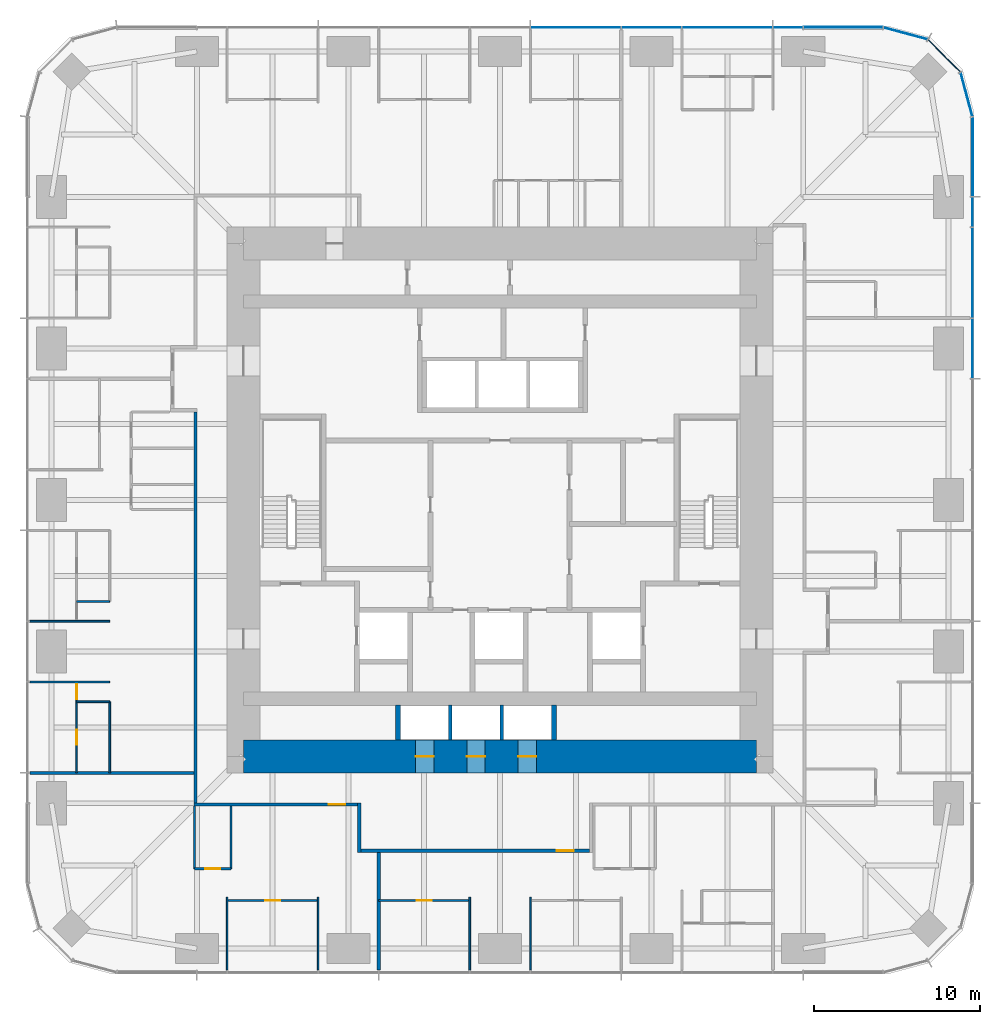
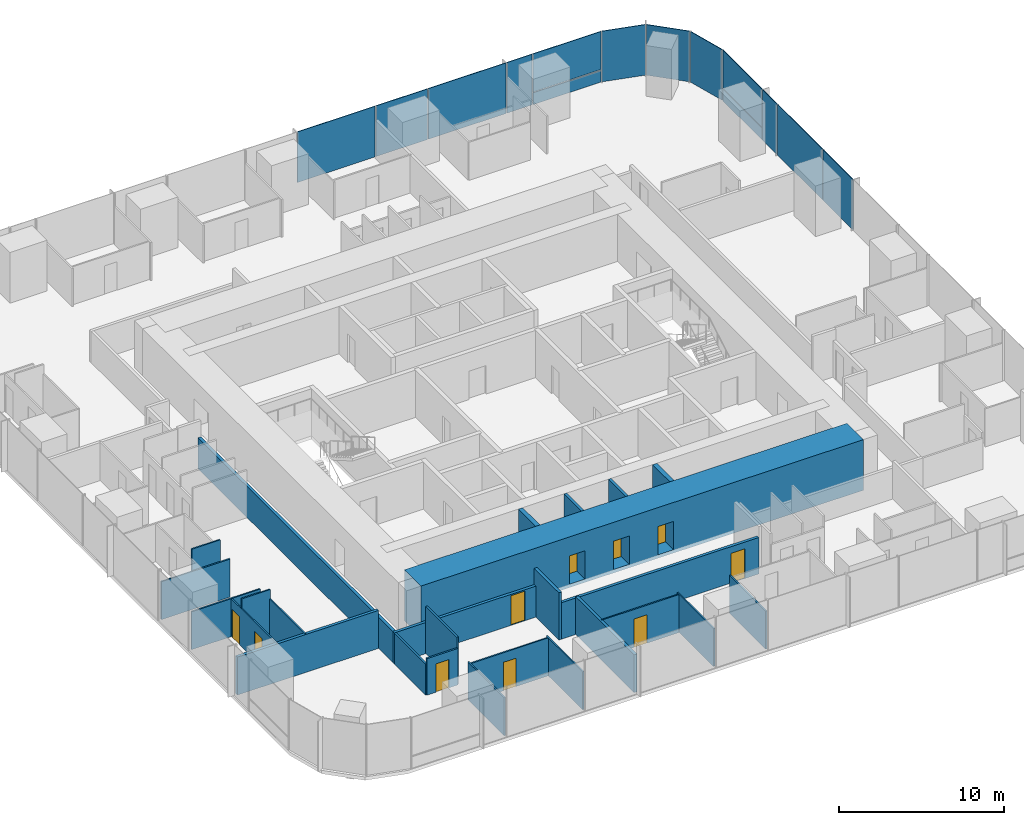
# One storey, part 8 of 13: 26 walls, 14 plates, 10 doors, 10 openings, 3 elements without a shape of their own.
"""IFC4 building model written with IfcOpenShell, lengths in metres."""

import ifcopenshell
import ifcopenshell.guid

model = None  # the IFC model being written
_history = None  # IfcOwnerHistory: only IFC2X3 demands one
_inside = {}  # id of a spatial element -> (the spatial element, [elements in it])
_under = {}  # id of a project, library or spatial element -> (it, [spatial elements below it])
_declared = {}  # id of a project -> (the project, [libraries it declares])
_typed = {}  # id of a type object -> (the type object, [elements of that type])
_made_of = {}  # id of a material, layer set ... -> (it, [elements and type objects made of it])


def new_model(schema):
    """Start an empty IFC model of exactly this schema.

    Asked for "IFC4X3", IfcOpenShell would pick the latest addendum, in which some entities
    have other attributes; the version numbers below select the first issue.
    IFC2X3 requires an IfcOwnerHistory on every rooted entity: one is made here for all.
    """
    global model, _history
    if schema == "IFC4X3":
        model = ifcopenshell.file(schema_version=(4, 3, 0, 0))
    else:
        model = ifcopenshell.file(schema=schema)
    _inside.clear()
    _under.clear()
    _declared.clear()
    _typed.clear()
    _made_of.clear()
    _history = None
    if model.schema == "IFC2X3":
        org = make("IfcOrganization", Name="unknown")
        user = make(
            "IfcPersonAndOrganization",
            ThePerson=make("IfcPerson", FamilyName="unknown"),
            TheOrganization=org,
        )
        app = make(
            "IfcApplication",
            ApplicationDeveloper=org,
            Version="unknown",
            ApplicationFullName="unknown",
            ApplicationIdentifier="unknown",
        )
        _history = make(
            "IfcOwnerHistory",
            OwningUser=user,
            OwningApplication=app,
            ChangeAction="ADDED",
            CreationDate=0,
        )
    return model


def make(cls, **values):
    """One entity of the class cls with the attributes given. An attribute that is None is left unset."""
    return model.create_entity(
        cls, **{name: value for name, value in values.items() if value is not None}
    )


def rooted(cls, **values):
    """An entity with a GlobalId (a new one), such as an element, a storey or a relation."""
    return make(cls, GlobalId=ifcopenshell.guid.new(), OwnerHistory=_history, **values)


def si_unit(unit_type, name, prefix=None):
    """IfcSIUnit, for example si_unit("LENGTHUNIT", "METRE", prefix="MILLI")."""
    return make("IfcSIUnit", UnitType=unit_type, Prefix=prefix, Name=name)


def assignment(units):
    """IfcUnitAssignment: the units of a project."""
    return None if units is None else make("IfcUnitAssignment", Units=units)


def point(xyz):
    """IfcCartesianPoint."""
    return None if xyz is None else make("IfcCartesianPoint", Coordinates=xyz)


def direction(xyz):
    """IfcDirection."""
    return None if xyz is None else make("IfcDirection", DirectionRatios=xyz)


def frame(location, z_axis=None, x_axis=None):
    """IfcAxis2Placement3D, a coordinate frame: its origin and axes. An axis left out is left unset."""
    return make(
        "IfcAxis2Placement3D",
        Location=point(location),
        Axis=direction(z_axis),
        RefDirection=direction(x_axis),
    )


def frame_2d(location, x_axis=None):
    """IfcAxis2Placement2D, a coordinate frame in the plane: its origin and x axis."""
    return make(
        "IfcAxis2Placement2D", Location=point(location), RefDirection=direction(x_axis)
    )


def origin():
    """The frame at (0, 0, 0) with its axes left unset."""
    return frame((0.0, 0.0, 0.0))


def origin_2d():
    """The frame at (0, 0) in the plane with its x axis left unset."""
    return frame_2d((0.0, 0.0))


def place(relative_to, where):
    """IfcLocalPlacement: puts the frame where relative to a parent placement (None: the world)."""
    return make(
        "IfcLocalPlacement", PlacementRelTo=relative_to, RelativePlacement=where
    )


def context(
    kind, dimensions, precision=None, world=None, true_north=None, identifier=None
):
    """IfcGeometricRepresentationContext, for example the 3D "Model" context."""
    return make(
        "IfcGeometricRepresentationContext",
        ContextIdentifier=identifier,
        ContextType=kind,
        CoordinateSpaceDimension=dimensions,
        Precision=precision,
        WorldCoordinateSystem=world,
        TrueNorth=true_north,
    )


def subcontext(parent, identifier, kind, view, scale=None):
    """IfcGeometricRepresentationSubContext, for example "Body" below "Model"."""
    return make(
        "IfcGeometricRepresentationSubContext",
        ContextIdentifier=identifier,
        ContextType=kind,
        ParentContext=parent,
        TargetScale=scale,
        TargetView=view,
    )


def project(units=None, contexts=None):
    """IfcProject with its units and contexts."""
    return rooted(
        "IfcProject",
        Name="project",
        RepresentationContexts=contexts,
        UnitsInContext=assignment(units),
    )


def spatial(cls, under=None, at=None, **own):
    """A site, building, storey or space (cls), placed at a placement, below another one or the project."""
    s = rooted(cls, ObjectPlacement=at, **own)
    if under is not None:
        _under.setdefault(under.id(), (under, []))[1].append(s)
    return s


def profile(cls, at=None, kind="AREA", **sizes):
    """A parametric profile (cls). Its sizes go by their IFC names, for example OverallWidth=200.0."""
    return make(cls, ProfileType=kind, Position=at, **sizes)


def rectangle(**sizes):
    """IfcRectangleProfileDef."""
    return profile("IfcRectangleProfileDef", **sizes)


def extrude(swept, where, along, depth):
    """IfcExtrudedAreaSolid: the profile swept, set in the frame where, extruded along a direction by depth."""
    return make(
        "IfcExtrudedAreaSolid",
        SweptArea=swept,
        Position=where,
        ExtrudedDirection=direction(along),
        Depth=depth,
    )


def shape(context_of_items, identifier, shape_type, items):
    """IfcShapeRepresentation: the items that make up one representation, for example the "Body"."""
    return make(
        "IfcShapeRepresentation",
        ContextOfItems=context_of_items,
        RepresentationIdentifier=identifier,
        RepresentationType=shape_type,
        Items=items,
    )


def material(Name=None, Category=None):
    """IfcMaterial."""
    return make("IfcMaterial", Name=Name, Category=Category)


def layer(
    of_material, thickness, ventilated=None, Name=None, Category=None, Priority=None
):
    """IfcMaterialLayer: one layer of a wall or slab, of a material (None: an air gap)."""
    return make(
        "IfcMaterialLayer",
        Material=of_material,
        LayerThickness=thickness,
        IsVentilated=ventilated,
        Name=Name,
        Category=Category,
        Priority=Priority,
    )


def layer_set(layers, Name=None):
    """IfcMaterialLayerSet."""
    return make("IfcMaterialLayerSet", MaterialLayers=layers, LayerSetName=Name)


def made_of(thing, what):
    """Note that an element or type object is made of a material, layer set ...; save() writes the relation."""
    if what is not None:
        _made_of.setdefault(what.id(), (what, []))[1].append(thing)
    return thing


def type_object(cls, material=None, **own):
    """A type object (cls), such as IfcWallType, which elements share."""
    return made_of(rooted(cls, **own), material)


def element(
    cls,
    number,
    at=None,
    inside=None,
    cuts=None,
    type_object=None,
    material=None,
    context=None,
    identifier="Body",
    shape_type=None,
    held_by="IfcProductDefinitionShape",
    body=None,
    shapes=None,
    **own,
):
    """One element of the class cls, such as IfcWall. Its Tag is "e" and its number.

    at: its placement. inside: the storey or other place that contains it. cuts: it is an
    opening in that element (IfcRelVoidsElement). A single representation is given by context,
    identifier, shape_type and body (its items); several are given by shapes. held_by: the class
    of the entity that holds the representations. save() writes the other relations.
    """
    e = rooted(cls, Tag="e%d" % number, ObjectPlacement=at, **own)
    if body is not None:
        shapes = [shape(context, identifier, shape_type, body)]
    if shapes is not None:
        e.Representation = make(held_by, Representations=shapes)
    if inside is not None:
        _inside.setdefault(inside.id(), (inside, []))[1].append(e)
    if cuts is not None:
        rooted(
            "IfcRelVoidsElement", RelatingBuildingElement=cuts, RelatedOpeningElement=e
        )
    if type_object is not None:
        _typed.setdefault(type_object.id(), (type_object, []))[1].append(e)
    return made_of(e, material)


def fill(opening, filler):
    """IfcRelFillsElement: the door or window that sits in an opening."""
    return rooted(
        "IfcRelFillsElement",
        RelatingOpeningElement=opening,
        RelatedBuildingElement=filler,
    )


def aggregate(whole, parts):
    """IfcRelAggregates: a whole, such as a stair, and the parts it consists of."""
    return rooted("IfcRelAggregates", RelatingObject=whole, RelatedObjects=parts)


def save(model, path):
    """Write the relations noted so far, then the file.

    IfcRelAggregates (storeys below a building ...), IfcRelContainedInSpatialStructure (elements
    in a storey), IfcRelDefinesByType, IfcRelAssociatesMaterial and IfcRelDeclares: one each for
    every whole, place, type object, material and project.
    """
    for whole, parts in _under.values():
        aggregate(whole, parts)
    for where, things in _inside.values():
        rooted(
            "IfcRelContainedInSpatialStructure",
            RelatedElements=things,
            RelatingStructure=where,
        )
    for kind, things in _typed.values():
        rooted("IfcRelDefinesByType", RelatedObjects=things, RelatingType=kind)
    for what, things in _made_of.values():
        rooted("IfcRelAssociatesMaterial", RelatedObjects=things, RelatingMaterial=what)
    for by, libraries in _declared.values():
        rooted("IfcRelDeclares", RelatingContext=by, RelatedDefinitions=libraries)
    model.write(path)


model = new_model("IFC4")

# Units and contexts
model_context = context("Model", 3, precision=1e-05, world=origin(), true_north=direction((0.0, 1.0)))
body_context = subcontext(model_context, "Body", "Model", "MODEL_VIEW")
ifc_project = project(units=[si_unit("LENGTHUNIT", "METRE"), si_unit("AREAUNIT", "SQUARE_METRE"), si_unit("VOLUMEUNIT", "CUBIC_METRE"), si_unit("PLANEANGLEUNIT", "RADIAN"), si_unit("MASSUNIT", "GRAM", prefix="KILO")], contexts=[model_context])

# Site, building, storey
site_placement = place(None, origin())
site = spatial("IfcSite", under=ifc_project, at=site_placement, CompositionType="ELEMENT")
building_placement = place(site_placement, origin())
building = spatial("IfcBuilding", under=site, at=building_placement, Name="Khuree Lantern Residences", CompositionType="ELEMENT")
storey_placement = place(building_placement, frame((0.0, 0.0, 152.25)))
storey = spatial("IfcBuildingStorey", under=building, at=storey_placement, Name="L38", CompositionType="ELEMENT", Elevation=152.25)

# Curtain wall, plates
ifc_material_1 = material(Name="Bronze anodised aluminium", Category="aluminium")
curtain_wall_type_1 = type_object("IfcCurtainWallType", Name="CW-T2 TOWER CORNER CURTAIN WALL", PredefinedType="USERDEFINED", material=ifc_material_1)
curtain_wall_1_placement = place(storey_placement, origin())
curtain_wall_1 = element("IfcCurtainWall", 1, at=curtain_wall_1_placement, inside=storey, type_object=curtain_wall_type_1, Name="L38 NORTH-EAST CORNER CURTAIN WALL", ObjectType="Faceted corner curtain wall", PredefinedType="USERDEFINED")
ifc_material_2 = material(Name="Bronze tinted triple glazing", Category="glass")
ifc_layer_1 = layer(ifc_material_2, 0.048095703125)
ifc_layer_set_1 = layer_set([ifc_layer_1], Name="FACET PANEL P4")
plate_type_1 = type_object("IfcPlateType", Name="FACET PANEL P4", PredefinedType="CURTAIN_PANEL", material=ifc_layer_set_1)
plate_1_placement = place(storey_placement, frame((28.188720703125, 24.498046875, 0.0), z_axis=(0.0, 0.0, 1.0), x_axis=(-0.258819105321, 0.965925810153, 0.0)))
plate_1 = element("IfcPlate", 2, at=plate_1_placement, type_object=plate_type_1, Name="L38 NORTH-EAST CORNER PANEL 15.1", PredefinedType="CURTAIN_PANEL", context=body_context, shape_type="SweptSolid", body=[
    extrude(rectangle(XDim=2.71923828125, YDim=0.048095703125, at=origin_2d()), origin(), (0.0, 0.0, 1.0), 3.75),
])
plate_2_placement = place(storey_placement, frame((26.83837890625, 26.83837890625, 0.0), z_axis=(0.0, 0.0, 1.0), x_axis=(-0.707106781187, 0.707106781187, 0.0)))
plate_2 = element("IfcPlate", 3, at=plate_2_placement, type_object=plate_type_1, Name="L38 NORTH-EAST CORNER PANEL 16.1", PredefinedType="CURTAIN_PANEL", context=body_context, shape_type="SweptSolid", body=[
    extrude(rectangle(XDim=2.715087890625, YDim=0.048095703125, at=origin_2d()), origin(), (0.0, 0.0, 1.0), 3.75),
])
plate_3_placement = place(storey_placement, frame((24.498046875, 28.188720703125, 0.0), z_axis=(0.0, 0.0, 1.0), x_axis=(-0.965925810153, 0.258819105321, 0.0)))
plate_3 = element("IfcPlate", 4, at=plate_3_placement, type_object=plate_type_1, Name="L38 NORTH-EAST CORNER PANEL 17.1", PredefinedType="CURTAIN_PANEL", context=body_context, shape_type="SweptSolid", body=[
    extrude(rectangle(XDim=2.71923828125, YDim=0.048095703125, at=origin_2d()), origin(), (0.0, 0.0, 1.0), 3.75),
])
aggregate(curtain_wall_1, [plate_1, plate_2, plate_3])

# Curtain wall, plate
curtain_wall_type_2 = type_object("IfcCurtainWallType", Name="CW-T1 TOWER FACE CURTAIN WALL", PredefinedType="USERDEFINED", material=ifc_material_1)
curtain_wall_2_placement = place(storey_placement, origin())
curtain_wall_2 = element("IfcCurtainWall", 5, at=curtain_wall_2_placement, inside=storey, type_object=curtain_wall_type_2, Name="L38 EAST FACE CURTAIN WALL", ObjectType="Stick-built curtain wall", PredefinedType="USERDEFINED")
ifc_material_3 = material(Name="Bronze tinted triple glazing with a ceramic-fritted spandrel band", Category="glass")
ifc_layer_2 = layer(ifc_material_3, 0.048095703125)
ifc_layer_set_2 = layer_set([ifc_layer_2], Name="FIXED LIGHT PANEL P11")
plate_type_2 = type_object("IfcPlateType", Name="FIXED LIGHT PANEL P11", PredefinedType="CURTAIN_PANEL", material=ifc_layer_set_2)
plate_4_placement = place(storey_placement, frame((28.550048828125, 13.739990234375, 0.0), z_axis=(0.0, 0.0, 1.0), x_axis=(0.0, 1.0, 0.0)))
plate_4 = element("IfcPlate", 6, at=plate_4_placement, type_object=plate_type_2, Name="L38 EAST FACE PANEL 12.1", PredefinedType="CURTAIN_PANEL", context=body_context, shape_type="SweptSolid", body=[
    extrude(rectangle(XDim=5.430908203125, YDim=0.048095703125, at=origin_2d()), origin(), (0.0, 0.0, 1.0), 3.75),
])

# Curtain wall, plates
curtain_wall_3_placement = place(storey_placement, origin())
curtain_wall_3 = element("IfcCurtainWall", 7, at=curtain_wall_3_placement, inside=storey, type_object=curtain_wall_type_2, Name="L38 NORTH FACE CURTAIN WALL", ObjectType="Stick-built curtain wall", PredefinedType="USERDEFINED")
plate_5_placement = place(storey_placement, frame((13.739990234375, 28.550048828125, 0.0), z_axis=(0.0, 0.0, 1.0), x_axis=(-1.0, 0.0, 0.0)))
plate_5 = element("IfcPlate", 8, at=plate_5_placement, type_object=plate_type_2, Name="L38 NORTH FACE PANEL 20.1", PredefinedType="CURTAIN_PANEL", context=body_context, shape_type="SweptSolid", body=[
    extrude(rectangle(XDim=5.430908203125, YDim=0.048095703125, at=origin_2d()), origin(), (0.0, 0.0, 1.0), 3.75),
])
plate_6_placement = place(storey_placement, frame((4.580078125, 28.550048828125, 0.0), z_axis=(0.0, 0.0, 1.0), x_axis=(-1.0, 0.0, 0.0)))
plate_6 = element("IfcPlate", 9, at=plate_6_placement, type_object=plate_type_2, Name="L38 NORTH FACE PANEL 22.1", PredefinedType="CURTAIN_PANEL", context=body_context, shape_type="SweptSolid", body=[
    extrude(rectangle(XDim=5.430908203125, YDim=0.048095703125, at=origin_2d()), origin(), (0.0, 0.0, 1.0), 3.75),
])

# Plate
ifc_material_4 = material(Name="Bronze tinted triple glazing, two aluminium-framed sashes in one frame", Category="aluminium")
ifc_layer_3 = layer(ifc_material_4, 0.048095703125)
ifc_layer_set_3 = layer_set([ifc_layer_3], Name="SASH PAIR PANEL P12")
plate_type_3 = type_object("IfcPlateType", Name="SASH PAIR PANEL P12", PredefinedType="CURTAIN_PANEL", material=ifc_layer_set_3)
plate_7_placement = place(storey_placement, frame((28.550048828125, 9.159912109375, 0.0), z_axis=(0.0, 0.0, 1.0), x_axis=(0.0, 1.0, 0.0)))
plate_7 = element("IfcPlate", 10, at=plate_7_placement, type_object=plate_type_3, Name="L38 EAST FACE PANEL 11.1", PredefinedType="CURTAIN_PANEL", context=body_context, shape_type="SweptSolid", body=[
    extrude(rectangle(XDim=3.59912109375, YDim=0.048095703125, at=origin_2d()), origin(), (0.0, 0.0, 1.0), 3.75),
])

plate_8_placement = place(storey_placement, frame((9.159912109375, 28.550048828125, 0.0), z_axis=(0.0, 0.0, 1.0), x_axis=(-1.0, 0.0, 0.0)))
plate_8 = element("IfcPlate", 11, at=plate_8_placement, type_object=plate_type_3, Name="L38 NORTH FACE PANEL 21.1", PredefinedType="CURTAIN_PANEL", context=body_context, shape_type="SweptSolid", body=[
    extrude(rectangle(XDim=3.59912109375, YDim=0.048095703125, at=origin_2d()), origin(), (0.0, 0.0, 1.0), 3.75),
])

ifc_material_5 = material(Name="Bronze tinted triple glazing, aluminium-framed sash", Category="aluminium")
ifc_layer_4 = layer(ifc_material_5, 0.048095703125)
ifc_layer_set_4 = layer_set([ifc_layer_4], Name="SASH PANEL P3")
plate_type_4 = type_object("IfcPlateType", Name="SASH PANEL P3", PredefinedType="CURTAIN_PANEL", material=ifc_layer_set_4)
plate_9_placement = place(storey_placement, frame((28.550048828125, 17.404052734375, 0.0), z_axis=(0.0, 0.0, 1.0), x_axis=(0.0, 1.0, 0.0)))
plate_9 = element("IfcPlate", 12, at=plate_9_placement, type_object=plate_type_4, Name="L38 EAST FACE PANEL 13.1", PredefinedType="CURTAIN_PANEL", context=body_context, shape_type="SweptSolid", body=[
    extrude(rectangle(XDim=1.76708984375, YDim=0.048095703125, at=origin_2d()), origin(), (0.0, 0.0, 1.0), 3.75),
])

plate_10_placement = place(storey_placement, frame((17.404052734375, 28.550048828125, 0.0), z_axis=(0.0, 0.0, 1.0), x_axis=(-1.0, 0.0, 0.0)))
plate_10 = element("IfcPlate", 13, at=plate_10_placement, type_object=plate_type_4, Name="L38 NORTH FACE PANEL 19.1", PredefinedType="CURTAIN_PANEL", context=body_context, shape_type="SweptSolid", body=[
    extrude(rectangle(XDim=1.76708984375, YDim=0.048095703125, at=origin_2d()), origin(), (0.0, 0.0, 1.0), 3.75),
])

ifc_material_6 = material(Name="Bronze anodised aluminium insulated spandrel", Category="aluminium")
ifc_layer_5 = layer(ifc_material_6, 0.06005859375)
ifc_layer_set_5 = layer_set([ifc_layer_5], Name="SPANDREL PANEL P2")
plate_type_5 = type_object("IfcPlateType", Name="SPANDREL PANEL P2", PredefinedType="CURTAIN_PANEL", material=ifc_layer_set_5)
plate_11_placement = place(storey_placement, frame((28.550048828125, 20.73291015625, 0.0), z_axis=(0.0, 0.0, 1.0), x_axis=(0.0, 1.0, 0.0)))
plate_11 = element("IfcPlate", 14, at=plate_11_placement, type_object=plate_type_5, Name="L38 EAST FACE PANEL 14.1", PredefinedType="CURTAIN_PANEL", context=body_context, shape_type="SweptSolid", body=[
    extrude(rectangle(XDim=4.7607421875, YDim=0.06005859375, at=origin_2d()), origin(), (0.0, 0.0, 1.0), 0.867431640625),
])

plate_12_placement = place(storey_placement, frame((20.73291015625, 28.550048828125, 0.0), z_axis=(0.0, 0.0, 1.0), x_axis=(-1.0, 0.0, 0.0)))
plate_12 = element("IfcPlate", 15, at=plate_12_placement, type_object=plate_type_5, Name="L38 NORTH FACE PANEL 18.1", PredefinedType="CURTAIN_PANEL", context=body_context, shape_type="SweptSolid", body=[
    extrude(rectangle(XDim=4.7607421875, YDim=0.06005859375, at=origin_2d()), origin(), (0.0, 0.0, 1.0), 0.867431640625),
])

ifc_layer_6 = layer(ifc_material_2, 0.048095703125)
ifc_layer_set_6 = layer_set([ifc_layer_6], Name="VISION PANEL P1")
plate_type_6 = type_object("IfcPlateType", Name="VISION PANEL P1", PredefinedType="CURTAIN_PANEL", material=ifc_layer_set_6)
plate_13_placement = place(storey_placement, frame((28.550048828125, 20.7333984375, 0.9326171875), z_axis=(0.0, 0.0, 1.0), x_axis=(0.0, 1.0, 0.0)))
plate_13 = element("IfcPlate", 16, at=plate_13_placement, type_object=plate_type_6, Name="L38 EAST FACE PANEL 14.2", PredefinedType="CURTAIN_PANEL", context=body_context, shape_type="SweptSolid", body=[
    extrude(rectangle(XDim=4.761474609375, YDim=0.048095703125, at=origin_2d()), origin(), (0.0, 0.0, 1.0), 2.8173828125),
])

aggregate(curtain_wall_2, [plate_7, plate_4, plate_9, plate_11, plate_13])

plate_14_placement = place(storey_placement, frame((20.7333984375, 28.550048828125, 0.9326171875), z_axis=(0.0, 0.0, 1.0), x_axis=(-1.0, 0.0, 0.0)))
plate_14 = element("IfcPlate", 17, at=plate_14_placement, type_object=plate_type_6, Name="L38 NORTH FACE PANEL 18.2", PredefinedType="CURTAIN_PANEL", context=body_context, shape_type="SweptSolid", body=[
    extrude(rectangle(XDim=4.761474609375, YDim=0.048095703125, at=origin_2d()), origin(), (0.0, 0.0, 1.0), 2.8173828125),
])

aggregate(curtain_wall_3, [plate_12, plate_14, plate_10, plate_5, plate_8, plate_6])

# Wall, opening, door
ifc_material_7 = material(Name="Moisture-resistant gypsum board on steel studs", Category="steel")
ifc_layer_7 = layer(ifc_material_7, 0.125)
ifc_layer_set_7 = layer_set([ifc_layer_7], Name="BATHROOM WALL BTW125")
wall_type_1 = type_object("IfcWallType", Name="BATHROOM WALL BTW125", PredefinedType="PARTITIONING", material=ifc_layer_set_7)
wall_1_placement = place(storey_placement, frame((-18.449951171875, -22.27978515625, 0.0), z_axis=(0.0, 0.0, 1.0), x_axis=(1.0, 0.0, 0.0)))
wall_1 = element("IfcWall", 18, at=wall_1_placement, inside=storey, type_object=wall_type_1, Name="L38 BATHROOM WALL 05", PredefinedType="PARTITIONING", context=body_context, shape_type="SweptSolid", body=[
    extrude(rectangle(XDim=2.199951171875, YDim=0.125, at=frame_2d((1.10009765625, 0.0))), origin(), (0.0, 0.0, 1.0), 2.699951171875),
])
opening_1_placement = place(wall_1_placement, frame((0.64990234375, 0.0, 0.0)))
opening_1 = element("IfcOpeningElement", 19, at=opening_1_placement, cuts=wall_1, Name="Opening 38-053", PredefinedType="OPENING", context=body_context, shape_type="SweptSolid", body=[
    extrude(rectangle(XDim=0.89990234375, YDim=2.10009765625, at=frame_2d((0.449951171875, 1.050048828125))), frame((0.0, 0.072509765625, 0.0), z_axis=(0.0, -1.0, 0.0), x_axis=(1.0, 0.0, 0.0)), (0.0, 0.0, 1.0), 0.14501953125),
])
ifc_material_8 = material(Name="Timber door leaf in hardwood frame", Category="wood")
door_type_1 = type_object("IfcDoorType", Name="BATHROOM DOOR 900X2100", OperationType="SINGLE_SWING_LEFT", PredefinedType="DOOR", material=ifc_material_8)
door_1_placement = place(opening_1_placement, origin())
door_1 = element("IfcDoor", 20, at=door_1_placement, inside=storey, type_object=door_type_1, Name="Bathroom door 38-053", OperationType="SINGLE_SWING_LEFT", OverallHeight=2.10009765625, OverallWidth=0.89990234375, PredefinedType="DOOR", context=body_context, shape_type="SweptSolid", body=[
    extrude(rectangle(XDim=0.89990234375, YDim=2.10009765625, at=frame_2d((0.449951171875, 1.050048828125))), frame((0.0, 0.02490234375, 0.0), z_axis=(0.0, -1.0, 0.0), x_axis=(1.0, 0.0, 0.0)), (0.0, 0.0, 1.0), 0.050048828125),
])
fill(opening_1, door_1)

# Walls
wall_2_placement = place(storey_placement, frame((-18.449951171875, -18.5, 0.0), z_axis=(0.0, 0.0, 1.0), x_axis=(0.0, -1.0, 0.0)))
element("IfcWall", 21, at=wall_2_placement, inside=storey, type_object=wall_type_1, Name="L38 BATHROOM WALL 05", PredefinedType="PARTITIONING", context=body_context, shape_type="SweptSolid", body=[
    extrude(rectangle(XDim=3.77978515625, YDim=0.125, at=frame_2d((1.889892578125, 0.0))), origin(), (0.0, 0.0, 1.0), 2.300048828125),
])
wall_3_placement = place(storey_placement, frame((-16.25, -18.5, 0.0), z_axis=(0.0, 0.0, 1.0), x_axis=(0.0, -1.0, 0.0)))
element("IfcWall", 22, at=wall_3_placement, inside=storey, type_object=wall_type_1, Name="L38 BATHROOM WALL 05", PredefinedType="PARTITIONING", context=body_context, shape_type="SweptSolid", body=[
    extrude(rectangle(XDim=3.77978515625, YDim=0.125, at=frame_2d((1.889892578125, 0.0))), origin(), (0.0, 0.0, 1.0), 3.5),
])
ifc_material_9 = material(Name="Dense concrete blockwork", Category="masonry")
ifc_layer_8 = layer(ifc_material_9, 0.300048828125)
ifc_layer_set_8 = layer_set([ifc_layer_8], Name="CORE PARTITION WALL CPW300 EI 120")
wall_type_2 = type_object("IfcWallType", Name="CORE PARTITION WALL CPW300 EI 120", PredefinedType="PARTITIONING", material=ifc_layer_set_8)
for number, where, z_axis, x_axis, name in (
    (23, (-6.14990234375, -14.5, 0.0), (0.0, 0.0, 1.0), (0.0, 1.0, 0.0), "L38 CORE WALL PMW"),
    (24, (3.25, -14.5, 0.0), (0.0, 0.0, 1.0), (0.0, 1.0, 0.0), "L38 CORE WALL PME"),
):
    element("IfcWall", number, at=place(storey_placement, frame(where, z_axis=z_axis, x_axis=x_axis)), inside=storey, type_object=wall_type_2, Name=name, PredefinedType="PARTITIONING", context=body_context, shape_type="SweptSolid", body=[
        extrude(rectangle(XDim=2.10009765625, YDim=0.300048828125, at=frame_2d((1.050048828125, 0.0))), origin(), (0.0, 0.0, 1.0), 3.5),
    ])
ifc_material_10 = material(Name="Gypsum board on steel studs", Category="steel")
ifc_layer_9 = layer(ifc_material_10, 0.199951171875)
ifc_layer_set_9 = layer_set([ifc_layer_9], Name="CORRIDOR WALL CRW200 EI 60")
wall_type_3 = type_object("IfcWallType", Name="CORRIDOR WALL CRW200 EI 60", PredefinedType="PARTITIONING", material=ifc_layer_set_9)
wall_4_placement = place(storey_placement, frame((-18.39990234375, 5.327880859375, 0.0), z_axis=(0.0, 0.0, 1.0), x_axis=(0.0, -1.0, 0.0)))
element("IfcWall", 25, at=wall_4_placement, inside=storey, type_object=wall_type_3, Name="L38 CORRIDOR WALL WEST 2", PredefinedType="PARTITIONING", context=body_context, shape_type="SweptSolid", body=[
    extrude(rectangle(XDim=23.6279296875, YDim=0.199951171875, at=frame_2d((11.81396484375, 0.0))), origin(), (0.0, 0.0, 1.0), 2.300048828125),
])
wall_5_placement = place(storey_placement, frame((-8.5, -18.300048828125, 0.0), z_axis=(0.0, 0.0, 1.0), x_axis=(0.0, -1.0, 0.0)))
element("IfcWall", 26, at=wall_5_placement, inside=storey, type_object=wall_type_3, Name="L38 LIFT LOBBY WALL", PredefinedType="PARTITIONING", context=body_context, shape_type="SweptSolid", body=[
    extrude(rectangle(XDim=3.0, YDim=0.199951171875, at=frame_2d((1.5, 0.0))), origin(), (0.0, 0.0, 1.0), 3.5),
])

# Wall, opening, door
wall_6_placement = place(storey_placement, frame((5.39990234375, -21.199951171875, 0.0), z_axis=(0.0, 0.0, 1.0), x_axis=(-1.0, 0.0, 0.0)))
wall_6 = element("IfcWall", 27, at=wall_6_placement, inside=storey, type_object=wall_type_3, Name="L38 LIFT LOBBY WALL", PredefinedType="PARTITIONING", context=body_context, shape_type="SweptSolid", body=[
    extrude(rectangle(XDim=13.7998046875, YDim=0.199951171875, at=frame_2d((6.89990234375, 0.0))), origin(), (0.0, 0.0, 1.0), 2.699951171875),
])
opening_2_placement = place(wall_6_placement, frame((0.9580078125, 0.0, 0.0)))
opening_2 = element("IfcOpeningElement", 28, at=opening_2_placement, cuts=wall_6, Name="Opening 38-061", PredefinedType="OPENING", context=body_context, shape_type="SweptSolid", body=[
    extrude(rectangle(XDim=1.0, YDim=2.199951171875, at=frame_2d((0.5, 1.10009765625))), frame((0.0, 0.10986328125, 0.0), z_axis=(0.0, -1.0, 0.0), x_axis=(1.0, 0.0, 0.0)), (0.0, 0.0, 1.0), 0.219970703125),
])
door_type_2 = type_object("IfcDoorType", Name="APARTMENT ENTRANCE DOOR 1000X2200 EI 30S", OperationType="SINGLE_SWING_LEFT", PredefinedType="DOOR", material=ifc_material_8)
door_2_placement = place(opening_2_placement, origin())
door_2 = element("IfcDoor", 29, at=door_2_placement, inside=storey, type_object=door_type_2, Name="Apartment 06 entrance door 38-061", OperationType="SINGLE_SWING_LEFT", OverallHeight=2.199951171875, OverallWidth=1.0, PredefinedType="DOOR", context=body_context, shape_type="SweptSolid", body=[
    extrude(rectangle(XDim=1.0, YDim=2.199951171875, at=frame_2d((0.5, 1.10009765625))), frame((0.0, 0.02490234375, 0.0), z_axis=(0.0, -1.0, 0.0), x_axis=(1.0, 0.0, 0.0)), (0.0, 0.0, 1.0), 0.050048828125),
])
fill(opening_2, door_2)

wall_7_placement = place(storey_placement, frame((-8.60009765625, -18.39990234375, 0.0), z_axis=(0.0, 0.0, 1.0), x_axis=(-1.0, 0.0, 0.0)))
wall_7 = element("IfcWall", 30, at=wall_7_placement, inside=storey, type_object=wall_type_3, Name="L38 CORRIDOR WALL SOUTH 2", PredefinedType="PARTITIONING", context=body_context, shape_type="SweptSolid", body=[
    extrude(rectangle(XDim=9.89990234375, YDim=0.199951171875, at=frame_2d((4.949951171875, 0.0))), origin(), (0.0, 0.0, 1.0), 2.300048828125),
])
opening_3_placement = place(wall_7_placement, frame((0.75, 0.0, 0.0)))
opening_3 = element("IfcOpeningElement", 31, at=opening_3_placement, cuts=wall_7, Name="Opening 38-054", PredefinedType="OPENING", context=body_context, shape_type="SweptSolid", body=[
    extrude(rectangle(XDim=1.0, YDim=2.199951171875, at=frame_2d((0.5, 1.10009765625))), frame((0.0, 0.10986328125, 0.0), z_axis=(0.0, -1.0, 0.0), x_axis=(1.0, 0.0, 0.0)), (0.0, 0.0, 1.0), 0.219970703125),
])
door_3_placement = place(opening_3_placement, origin())
door_3 = element("IfcDoor", 32, at=door_3_placement, inside=storey, type_object=door_type_2, Name="Apartment 05 entrance door 38-054", OperationType="SINGLE_SWING_LEFT", OverallHeight=2.199951171875, OverallWidth=1.0, PredefinedType="DOOR", context=body_context, shape_type="SweptSolid", body=[
    extrude(rectangle(XDim=1.0, YDim=2.199951171875, at=frame_2d((0.5, 1.10009765625))), frame((0.0, 0.02490234375, 0.0), z_axis=(0.0, -1.0, 0.0), x_axis=(1.0, 0.0, 0.0)), (0.0, 0.0, 1.0), 0.050048828125),
])
fill(opening_3, door_3)

# Wall, openings, doors
ifc_material_11 = material(Name="Concrete C70/85", Category="concrete")
ifc_layer_10 = layer(ifc_material_11, 2.0)
ifc_layer_set_10 = layer_set([ifc_layer_10], Name="CW2000-C70 CORE WALL C70 2000")
wall_type_4 = type_object("IfcWallType", Name="CW2000-C70 CORE WALL C70 2000", PredefinedType="SHEAR", material=ifc_layer_set_10)
wall_8_placement = place(storey_placement, frame((-15.5, -15.5, -0.25), z_axis=(0.0, 0.0, 1.0), x_axis=(1.0, 0.0, 0.0)))
wall_8 = element("IfcWall", 33, at=wall_8_placement, inside=storey, type_object=wall_type_4, Name="Core wall S", PredefinedType="SHEAR", context=body_context, shape_type="SweptSolid", body=[
    extrude(rectangle(XDim=31.0, YDim=2.0, at=frame_2d((15.5, 0.0))), origin(), (0.0, 0.0, 1.0), 3.75),
])
opening_4_placement = place(wall_8_placement, frame((10.39990234375, 0.0, 0.25)))
opening_4 = element("IfcOpeningElement", 34, at=opening_4_placement, cuts=wall_8, Name="Opening 38-009", PredefinedType="OPENING", context=body_context, shape_type="SweptSolid", body=[
    extrude(rectangle(XDim=1.10009765625, YDim=2.10009765625, at=frame_2d((0.550048828125, 1.050048828125))), frame((0.0, 1.010009765625, 0.0), z_axis=(0.0, -1.0, 0.0), x_axis=(1.0, 0.0, 0.0)), (0.0, 0.0, 1.0), 2.02001953125),
])
opening_5_placement = place(wall_8_placement, frame((13.5, 0.0, 0.25)))
opening_5 = element("IfcOpeningElement", 35, at=opening_5_placement, cuts=wall_8, Name="Opening 38-010", PredefinedType="OPENING", context=body_context, shape_type="SweptSolid", body=[
    extrude(rectangle(XDim=1.10009765625, YDim=2.10009765625, at=frame_2d((0.550048828125, 1.050048828125))), frame((0.0, 1.010009765625, 0.0), z_axis=(0.0, -1.0, 0.0), x_axis=(1.0, 0.0, 0.0)), (0.0, 0.0, 1.0), 2.02001953125),
])
opening_6_placement = place(wall_8_placement, frame((16.60009765625, 0.0, 0.25)))
opening_6 = element("IfcOpeningElement", 36, at=opening_6_placement, cuts=wall_8, Name="Opening 38-011", PredefinedType="OPENING", context=body_context, shape_type="SweptSolid", body=[
    extrude(rectangle(XDim=1.10009765625, YDim=2.10009765625, at=frame_2d((0.550048828125, 1.050048828125))), frame((0.0, 1.010009765625, 0.0), z_axis=(0.0, -1.0, 0.0), x_axis=(1.0, 0.0, 0.0)), (0.0, 0.0, 1.0), 2.02001953125),
])
ifc_material_12 = material(Name="Stainless steel lift landing door", Category="steel")
door_type_3 = type_object("IfcDoorType", Name="LIFT LANDING DOOR 1100X2100 E 60", OperationType="DOUBLE_DOOR_SLIDING", PredefinedType="DOOR", material=ifc_material_12)
door_4_placement = place(opening_4_placement, origin())
door_4 = element("IfcDoor", 37, at=door_4_placement, inside=storey, type_object=door_type_3, Name="Landing door PM1 38-009", OperationType="DOUBLE_DOOR_SLIDING", OverallHeight=2.10009765625, OverallWidth=1.10009765625, PredefinedType="DOOR", context=body_context, shape_type="SweptSolid", body=[
    extrude(rectangle(XDim=1.10009765625, YDim=2.10009765625, at=frame_2d((0.550048828125, 1.050048828125))), frame((0.0, 0.02490234375, 0.0), z_axis=(0.0, -1.0, 0.0), x_axis=(1.0, 0.0, 0.0)), (0.0, 0.0, 1.0), 0.050048828125),
])
fill(opening_4, door_4)
door_5_placement = place(opening_5_placement, origin())
door_5 = element("IfcDoor", 38, at=door_5_placement, inside=storey, type_object=door_type_3, Name="Landing door PM2 38-010", OperationType="DOUBLE_DOOR_SLIDING", OverallHeight=2.10009765625, OverallWidth=1.10009765625, PredefinedType="DOOR", context=body_context, shape_type="SweptSolid", body=[
    extrude(rectangle(XDim=1.10009765625, YDim=2.10009765625, at=frame_2d((0.550048828125, 1.050048828125))), frame((0.0, 0.02490234375, 0.0), z_axis=(0.0, -1.0, 0.0), x_axis=(1.0, 0.0, 0.0)), (0.0, 0.0, 1.0), 0.050048828125),
])
fill(opening_5, door_5)
door_6_placement = place(opening_6_placement, origin())
door_6 = element("IfcDoor", 39, at=door_6_placement, inside=storey, type_object=door_type_3, Name="Landing door PM3 38-011", OperationType="DOUBLE_DOOR_SLIDING", OverallHeight=2.10009765625, OverallWidth=1.10009765625, PredefinedType="DOOR", context=body_context, shape_type="SweptSolid", body=[
    extrude(rectangle(XDim=1.10009765625, YDim=2.10009765625, at=frame_2d((0.550048828125, 1.050048828125))), frame((0.0, 0.02490234375, 0.0), z_axis=(0.0, -1.0, 0.0), x_axis=(1.0, 0.0, 0.0)), (0.0, 0.0, 1.0), 0.050048828125),
])
fill(opening_6, door_6)

# Walls
ifc_layer_11 = layer(ifc_material_10, 0.199951171875)
ifc_layer_set_11 = layer_set([ifc_layer_11], Name="DEMISING WALL DMW200 EI 90")
wall_type_5 = type_object("IfcWallType", Name="DEMISING WALL DMW200 EI 90", PredefinedType="PARTITIONING", material=ifc_layer_set_11)
wall_9_placement = place(storey_placement, frame((-18.5, -16.488037109375, 0.0), z_axis=(0.0, 0.0, 1.0), x_axis=(-1.0, 0.0, 0.0)))
element("IfcWall", 40, at=wall_9_placement, inside=storey, type_object=wall_type_5, Name="L38 DEMISING WALL 05", PredefinedType="PARTITIONING", context=body_context, shape_type="SweptSolid", body=[
    extrude(rectangle(XDim=9.89990234375, YDim=0.199951171875, at=frame_2d((4.949951171875, 0.0))), origin(), (0.0, 0.0, 1.0), 2.81005859375),
])
wall_10_placement = place(storey_placement, frame((-7.327880859375, -21.300048828125, 0.0), z_axis=(0.0, 0.0, 1.0), x_axis=(0.0, -1.0, 0.0)))
element("IfcWall", 41, at=wall_10_placement, inside=storey, type_object=wall_type_5, Name="L38 DEMISING WALL 06", PredefinedType="PARTITIONING", context=body_context, shape_type="SweptSolid", body=[
    extrude(rectangle(XDim=7.099853515625, YDim=0.199951171875, at=frame_2d((3.5498046875, 0.0))), origin(), (0.0, 0.0, 1.0), 2.81005859375),
])
ifc_layer_12 = layer(ifc_material_10, 0.10009765625)
ifc_layer_set_12 = layer_set([ifc_layer_12], Name="PARTITION PT100")
wall_type_6 = type_object("IfcWallType", Name="PARTITION PT100", PredefinedType="PARTITIONING", material=ifc_layer_set_12)
for number, where, z_axis, x_axis, name in (
    (42, (-23.579833984375, -7.327880859375, 0.0), (0.0, 0.0, 1.0), (-1.0, 0.0, 0.0), "L38 PARTITION 04"),
    (43, (-23.579833984375, -10.991943359375, 0.0), (0.0, 0.0, 1.0), (-1.0, 0.0, 0.0), "L38 PARTITION 04"),
):
    element("IfcWall", number, at=place(storey_placement, frame(where, z_axis=z_axis, x_axis=x_axis)), inside=storey, type_object=wall_type_6, Name=name, PredefinedType="PARTITIONING", context=body_context, shape_type="SweptSolid", body=[
        extrude(rectangle(XDim=4.820068359375, YDim=0.10009765625, at=frame_2d((2.41015625, 0.0))), origin(), (0.0, 0.0, 1.0), 2.81005859375),
    ])
for number, where, z_axis, x_axis, name in (
    (44, (-16.488037109375, -24.0, 0.0), (0.0, 0.0, 1.0), (0.0, -1.0, 0.0), "L38 PARTITION 05"),
    (45, (-10.991943359375, -24.0, 0.0), (0.0, 0.0, 1.0), (0.0, -1.0, 0.0), "L38 PARTITION 05"),
    (46, (-1.83203125, -24.0, 0.0), (0.0, 0.0, 1.0), (0.0, -1.0, 0.0), "L38 PARTITION 06"),
    (47, (1.83203125, -24.0, 0.0), (0.0, 0.0, 1.0), (0.0, -1.0, 0.0), "L38 PARTITION 06"),
):
    element("IfcWall", number, at=place(storey_placement, frame(where, z_axis=z_axis, x_axis=x_axis)), inside=storey, type_object=wall_type_6, Name=name, PredefinedType="PARTITIONING", context=body_context, shape_type="SweptSolid", body=[
        extrude(rectangle(XDim=4.39990234375, YDim=0.10009765625, at=frame_2d((2.199951171875, 0.0))), origin(), (0.0, 0.0, 1.0), 2.81005859375),
    ])
wall_11_placement = place(storey_placement, frame((-23.579833984375, -6.1279296875, 0.0), z_axis=(0.0, 0.0, 1.0), x_axis=(-1.0, 0.0, 0.0)))
element("IfcWall", 48, at=wall_11_placement, inside=storey, type_object=wall_type_6, Name="L38 PARTITION 04", PredefinedType="PARTITIONING", context=body_context, shape_type="SweptSolid", body=[
    extrude(rectangle(XDim=2.0, YDim=0.10009765625, at=frame_2d((1.0, 0.0))), origin(), (0.0, 0.0, 1.0), 3.5),
])

# Wall, openings, doors
wall_12_placement = place(storey_placement, frame((-25.579833984375, -10.991943359375, 0.0), z_axis=(0.0, 0.0, 1.0), x_axis=(0.0, -1.0, 0.0)))
wall_12 = element("IfcWall", 49, at=wall_12_placement, inside=storey, type_object=wall_type_6, Name="L38 PARTITION 04", PredefinedType="PARTITIONING", context=body_context, shape_type="SweptSolid", body=[
    extrude(rectangle(XDim=5.49609375, YDim=0.10009765625, at=frame_2d((2.748046875, 0.0))), origin(), (0.0, 0.0, 1.0), 2.81005859375),
])
opening_7_placement = place(wall_12_placement, frame((0.14990234375, 0.0, 0.0)))
opening_7 = element("IfcOpeningElement", 50, at=opening_7_placement, cuts=wall_12, Name="Opening 38-046", PredefinedType="OPENING", context=body_context, shape_type="SweptSolid", body=[
    extrude(rectangle(XDim=0.89990234375, YDim=2.10009765625, at=frame_2d((0.449951171875, 1.050048828125))), frame((0.0, 0.06005859375, 0.0), z_axis=(0.0, -1.0, 0.0), x_axis=(1.0, 0.0, 0.0)), (0.0, 0.0, 1.0), 0.1201171875),
])
opening_8_placement = place(wall_12_placement, frame((2.89794921875, 0.0, 0.0)))
opening_8 = element("IfcOpeningElement", 51, at=opening_8_placement, cuts=wall_12, Name="Opening 38-047", PredefinedType="OPENING", context=body_context, shape_type="SweptSolid", body=[
    extrude(rectangle(XDim=0.89990234375, YDim=2.10009765625, at=frame_2d((0.449951171875, 1.050048828125))), frame((0.0, 0.06005859375, 0.0), z_axis=(0.0, -1.0, 0.0), x_axis=(1.0, 0.0, 0.0)), (0.0, 0.0, 1.0), 0.1201171875),
])
door_type_4 = type_object("IfcDoorType", Name="BEDROOM DOOR 900X2100", OperationType="SINGLE_SWING_LEFT", PredefinedType="DOOR", material=ifc_material_8)
door_7_placement = place(opening_7_placement, origin())
door_7 = element("IfcDoor", 52, at=door_7_placement, inside=storey, type_object=door_type_4, Name="Bedroom door 38-046", OperationType="SINGLE_SWING_LEFT", OverallHeight=2.10009765625, OverallWidth=0.89990234375, PredefinedType="DOOR", context=body_context, shape_type="SweptSolid", body=[
    extrude(rectangle(XDim=0.89990234375, YDim=2.10009765625, at=frame_2d((0.449951171875, 1.050048828125))), frame((0.0, 0.02490234375, 0.0), z_axis=(0.0, -1.0, 0.0), x_axis=(1.0, 0.0, 0.0)), (0.0, 0.0, 1.0), 0.050048828125),
])
fill(opening_7, door_7)
door_type_5 = type_object("IfcDoorType", Name="DOOR 900X2100 RIGHT HAND", OperationType="SINGLE_SWING_RIGHT", PredefinedType="DOOR", material=ifc_material_8)
door_8_placement = place(opening_8_placement, origin())
door_8 = element("IfcDoor", 53, at=door_8_placement, inside=storey, type_object=door_type_5, Name="Wardrobe door 38-047", OperationType="SINGLE_SWING_RIGHT", OverallHeight=2.10009765625, OverallWidth=0.89990234375, PredefinedType="DOOR", context=body_context, shape_type="SweptSolid", body=[
    extrude(rectangle(XDim=0.89990234375, YDim=2.10009765625, at=frame_2d((0.449951171875, 1.050048828125))), frame((0.0, 0.02490234375, 0.0), z_axis=(0.0, -1.0, 0.0), x_axis=(1.0, 0.0, 0.0)), (0.0, 0.0, 1.0), 0.050048828125),
])
fill(opening_8, door_8)

# Walls
wall_13_placement = place(storey_placement, frame((-23.579833984375, -12.19189453125, 0.0), z_axis=(0.0, 0.0, 1.0), x_axis=(-1.0, 0.0, 0.0)))
element("IfcWall", 54, at=wall_13_placement, inside=storey, type_object=wall_type_6, Name="L38 PARTITION 04", PredefinedType="PARTITIONING", context=body_context, shape_type="SweptSolid", body=[
    extrude(rectangle(XDim=2.0, YDim=0.10009765625, at=frame_2d((1.0, 0.0))), origin(), (0.0, 0.0, 1.0), 3.5),
])
wall_14_placement = place(storey_placement, frame((-23.579833984375, -12.19189453125, 0.0), z_axis=(0.0, 0.0, 1.0), x_axis=(0.0, -1.0, 0.0)))
element("IfcWall", 55, at=wall_14_placement, inside=storey, type_object=wall_type_6, Name="L38 PARTITION 04", PredefinedType="PARTITIONING", context=body_context, shape_type="SweptSolid", body=[
    extrude(rectangle(XDim=4.296142578125, YDim=0.10009765625, at=frame_2d((2.14794921875, 0.0))), origin(), (0.0, 0.0, 1.0), 2.81005859375),
])

# Wall, opening, door
wall_15_placement = place(storey_placement, frame((-16.488037109375, -24.199951171875, 0.0), z_axis=(0.0, 0.0, 1.0), x_axis=(1.0, 0.0, 0.0)))
wall_15 = element("IfcWall", 56, at=wall_15_placement, inside=storey, type_object=wall_type_6, Name="L38 PARTITION 05", PredefinedType="PARTITIONING", context=body_context, shape_type="SweptSolid", body=[
    extrude(rectangle(XDim=5.49609375, YDim=0.10009765625, at=frame_2d((2.748046875, 0.0))), origin(), (0.0, 0.0, 1.0), 2.81005859375),
])
opening_9_placement = place(wall_15_placement, frame((2.298095703125, 0.0, 0.0)))
opening_9 = element("IfcOpeningElement", 57, at=opening_9_placement, cuts=wall_15, Name="Opening 38-052", PredefinedType="OPENING", context=body_context, shape_type="SweptSolid", body=[
    extrude(rectangle(XDim=0.89990234375, YDim=2.10009765625, at=frame_2d((0.449951171875, 1.050048828125))), frame((0.0, 0.06005859375, 0.0), z_axis=(0.0, -1.0, 0.0), x_axis=(1.0, 0.0, 0.0)), (0.0, 0.0, 1.0), 0.1201171875),
])
door_9_placement = place(opening_9_placement, origin())
door_9 = element("IfcDoor", 58, at=door_9_placement, inside=storey, type_object=door_type_4, Name="Bedroom door 38-052", OperationType="SINGLE_SWING_LEFT", OverallHeight=2.10009765625, OverallWidth=0.89990234375, PredefinedType="DOOR", context=body_context, shape_type="SweptSolid", body=[
    extrude(rectangle(XDim=0.89990234375, YDim=2.10009765625, at=frame_2d((0.449951171875, 1.050048828125))), frame((0.0, 0.02490234375, 0.0), z_axis=(0.0, -1.0, 0.0), x_axis=(1.0, 0.0, 0.0)), (0.0, 0.0, 1.0), 0.050048828125),
])
fill(opening_9, door_9)

wall_16_placement = place(storey_placement, frame((-7.327880859375, -24.199951171875, 0.0), z_axis=(0.0, 0.0, 1.0), x_axis=(1.0, 0.0, 0.0)))
wall_16 = element("IfcWall", 59, at=wall_16_placement, inside=storey, type_object=wall_type_6, Name="L38 PARTITION 06", PredefinedType="PARTITIONING", context=body_context, shape_type="SweptSolid", body=[
    extrude(rectangle(XDim=5.495849609375, YDim=0.10009765625, at=frame_2d((2.748046875, 0.0))), origin(), (0.0, 0.0, 1.0), 2.81005859375),
])
opening_10_placement = place(wall_16_placement, frame((2.298095703125, 0.0, 0.0)))
opening_10 = element("IfcOpeningElement", 60, at=opening_10_placement, cuts=wall_16, Name="Opening 38-055", PredefinedType="OPENING", context=body_context, shape_type="SweptSolid", body=[
    extrude(rectangle(XDim=0.89990234375, YDim=2.10009765625, at=frame_2d((0.449951171875, 1.050048828125))), frame((0.0, 0.06005859375, 0.0), z_axis=(0.0, -1.0, 0.0), x_axis=(1.0, 0.0, 0.0)), (0.0, 0.0, 1.0), 0.1201171875),
])
door_10_placement = place(opening_10_placement, origin())
door_10 = element("IfcDoor", 61, at=door_10_placement, inside=storey, type_object=door_type_4, Name="Bedroom door 38-055", OperationType="SINGLE_SWING_LEFT", OverallHeight=2.10009765625, OverallWidth=0.89990234375, PredefinedType="DOOR", context=body_context, shape_type="SweptSolid", body=[
    extrude(rectangle(XDim=0.89990234375, YDim=2.10009765625, at=frame_2d((0.449951171875, 1.050048828125))), frame((0.0, 0.02490234375, 0.0), z_axis=(0.0, -1.0, 0.0), x_axis=(1.0, 0.0, 0.0)), (0.0, 0.0, 1.0), 0.050048828125),
])
fill(opening_10, door_10)

# Walls
ifc_layer_13 = layer(ifc_material_9, 0.199951171875)
ifc_layer_set_13 = layer_set([ifc_layer_13], Name="SHAFT WALL SHW200 EI 120")
wall_type_7 = type_object("IfcWallType", Name="SHAFT WALL SHW200 EI 120", PredefinedType="PARTITIONING", material=ifc_layer_set_13)
for number, where, z_axis, x_axis, name in (
    (62, (-3.0, -14.5, 0.0), (0.0, 0.0, 1.0), (0.0, 1.0, 0.0), "L38 CORE WALL PMD1"),
    (63, (0.10009765625, -14.5, 0.0), (0.0, 0.0, 1.0), (0.0, 1.0, 0.0), "L38 CORE WALL PMD2"),
):
    element("IfcWall", number, at=place(storey_placement, frame(where, z_axis=z_axis, x_axis=x_axis)), inside=storey, type_object=wall_type_7, Name=name, PredefinedType="PARTITIONING", context=body_context, shape_type="SweptSolid", body=[
        extrude(rectangle(XDim=2.10009765625, YDim=0.199951171875, at=frame_2d((1.050048828125, 0.0))), origin(), (0.0, 0.0, 1.0), 3.5),
    ])

save(model, "model.ifc")
